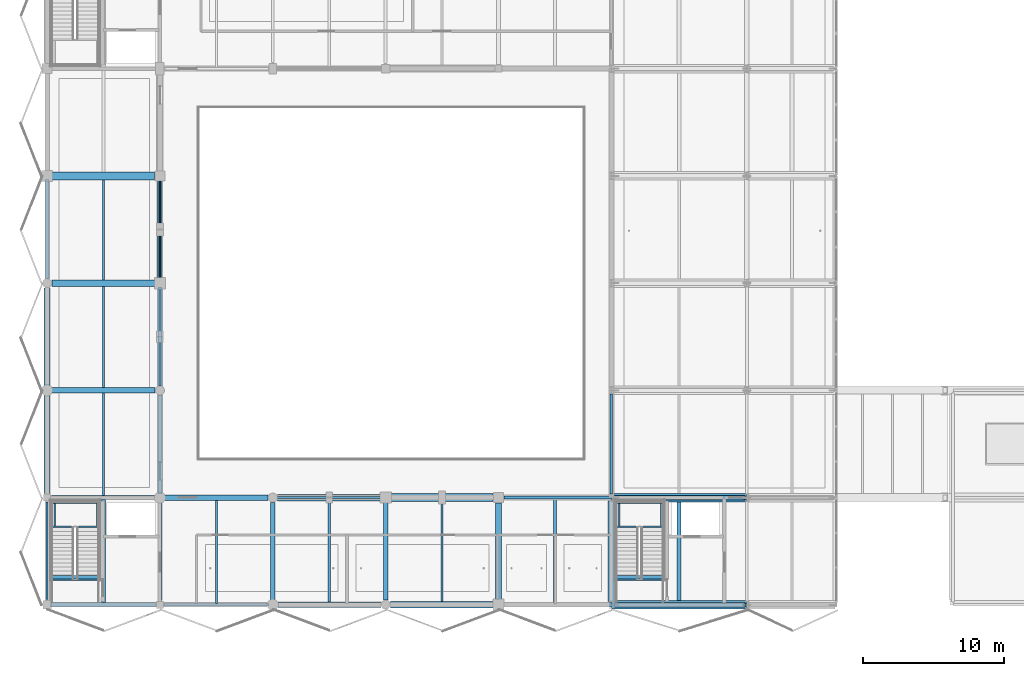
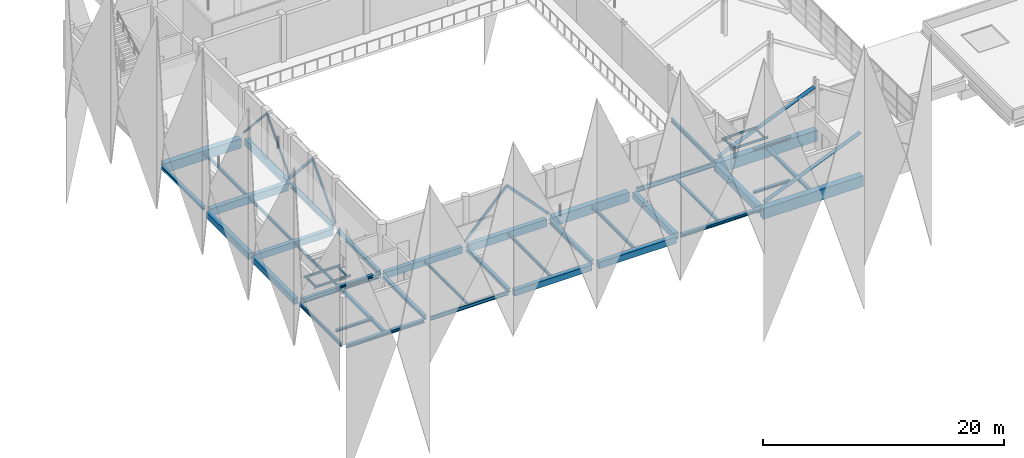
# One storey, part 9 of 107: 49 beams, 8 members.
"""IFC4 building model written with IfcOpenShell, lengths in metres."""

from ifc_helpers import new_model, si_unit, direction, frame, origin, origin_2d, place, context, subcontext, project, spatial, rectangle, hollow_rectangle, hollow_circle, i_section, extrude, material, material_profile, profile_set, type_object, element, save


model = new_model("IFC4")

# Units and contexts
model_context = context("Model", 3, precision=1e-05, world=origin(), true_north=direction((0.0, 1.0)))
body_context = subcontext(model_context, "Body", "Model", "MODEL_VIEW")
ifc_project = project(units=[si_unit("LENGTHUNIT", "METRE"), si_unit("AREAUNIT", "SQUARE_METRE"), si_unit("VOLUMEUNIT", "CUBIC_METRE"), si_unit("PLANEANGLEUNIT", "RADIAN"), si_unit("MASSUNIT", "GRAM", prefix="KILO")], contexts=[model_context])

# Site, building, storey
site_placement = place(None, origin())
site = spatial("IfcSite", under=ifc_project, at=site_placement, CompositionType="ELEMENT")
building_placement = place(site_placement, origin())
building = spatial("IfcBuilding", under=site, at=building_placement, Name="Khelvaren Railside Concert Hall", CompositionType="ELEMENT")
storey_placement = place(building_placement, frame((0.0, 0.0, 15.0)))
storey = spatial("IfcBuildingStorey", under=building, at=storey_placement, Name="L03", CompositionType="ELEMENT", Elevation=15.0)

# Beams
ifc_material_1 = material(Name="Steel S355", Category="steel")
ifc_material_profile_1 = material_profile(ifc_material_1, i_section(OverallWidth=0.300048828125, OverallDepth=0.389892578125, WebThickness=0.010986328125, FlangeThickness=0.01904296875, FilletRadius=0.027099609375, at=origin_2d()), Name="HEA 400")
ifc_profile_set_1 = profile_set([ifc_material_profile_1], Name="Steel S355")
beam_type_1 = type_object("IfcBeamType", Name="BM23", PredefinedType="BEAM", material=ifc_profile_set_1)
for number, where, z_axis, x_axis, name in (
    (1, (8.0, 7.85009765625, -0.47509765625), (0.0, 1.0, 0.0), (-1.0, 0.0, 0.0), "V1 L03 Beam Y2.2"),
    (2, (16.0, 0.25, -0.47509765625), (0.0, 1.0, 0.0), (-1.0, 0.0, 0.0), "V1 L03 Beam Y3.1"),
):
    element("IfcBeam", number, at=place(storey_placement, frame(where, z_axis=z_axis, x_axis=x_axis)), inside=storey, type_object=beam_type_1, Name=name, PredefinedType="BEAM", context=body_context, shape_type="SweptSolid", body=[
        extrude(i_section(OverallWidth=0.300048828125, OverallDepth=0.389892578125, WebThickness=0.010986328125, FlangeThickness=0.01904296875, FilletRadius=0.027099609375, at=origin_2d()), origin(), (0.0, 0.0, 1.0), 7.013916015625),
    ])
ifc_material_profile_2 = material_profile(ifc_material_1, i_section(OverallWidth=0.179931640625, OverallDepth=0.39990234375, WebThickness=0.008544921875, FlangeThickness=0.013427734375, FilletRadius=0.02099609375, at=origin_2d()), Name="IPE 400")
ifc_profile_set_2 = profile_set([ifc_material_profile_2], Name="Steel S355")
beam_type_2 = type_object("IfcBeamType", Name="BM29", PredefinedType="BEAM", material=ifc_profile_set_2)
beam_1_placement = place(storey_placement, frame((40.0, 7.85009765625, -0.47998046875), z_axis=(0.0, 1.0, 0.0), x_axis=(-1.0, 0.0, 0.0)))
element("IfcBeam", 3, at=beam_1_placement, inside=storey, type_object=beam_type_2, Name="V1 L03 Beam Y6.2", PredefinedType="BEAM", context=body_context, shape_type="SweptSolid", body=[
    extrude(i_section(OverallWidth=0.179931640625, OverallDepth=0.39990234375, WebThickness=0.008544921875, FlangeThickness=0.013427734375, FilletRadius=0.02099609375, at=origin_2d()), origin(), (0.0, 0.0, 1.0), 7.099853515625),
])
ifc_material_2 = material(Name="Concrete C40/50", Category="concrete")
ifc_material_profile_3 = material_profile(ifc_material_2, rectangle(XDim=0.39990234375, YDim=0.64990234375, at=origin_2d()), Name="RCB 400x650")
ifc_profile_set_3 = profile_set([ifc_material_profile_3], Name="Concrete C40/50")
beam_type_3 = type_object("IfcBeamType", Name="BM33", PredefinedType="BEAM", material=ifc_profile_set_3)
for number, where, z_axis, x_axis, name in (
    (4, (8.25, 7.60009765625, -0.60498046875), (1.0, 0.0, 0.0), (0.0, 1.0, 0.0), "V1 L03 Beam X2.2"),
    (5, (0.25, 15.199951171875, -0.60498046875), (1.0, 0.0, 0.0), (0.0, 1.0, 0.0), "V1 L03 Beam X3.1"),
):
    element("IfcBeam", number, at=place(storey_placement, frame(where, z_axis=z_axis, x_axis=x_axis)), inside=storey, type_object=beam_type_3, Name=name, PredefinedType="BEAM", context=body_context, shape_type="SweptSolid", body=[
        extrude(rectangle(XDim=0.39990234375, YDim=0.64990234375, at=origin_2d()), origin(), (0.0, 0.0, 1.0), 7.4140625),
    ])
for number, where, z_axis, x_axis, name in (
    (6, (8.0, 23.072998046875, -0.60498046875), (0.0, 1.0, 0.0), (-1.0, 0.0, 0.0), "V1 L03 Beam Y2.4"),
    (7, (32.0, 0.27294921875, -0.60498046875), (0.0, 1.0, 0.0), (-1.0, 0.0, 0.0), "V1 L03 Beam Y5.1"),
):
    element("IfcBeam", number, at=place(storey_placement, frame(where, z_axis=z_axis, x_axis=x_axis)), inside=storey, type_object=beam_type_3, Name=name, PredefinedType="BEAM", context=body_context, shape_type="SweptSolid", body=[
        extrude(rectangle(XDim=0.39990234375, YDim=0.64990234375, at=origin_2d()), origin(), (0.0, 0.0, 1.0), 6.927001953125),
    ])
ifc_material_profile_4 = material_profile(ifc_material_1, i_section(OverallWidth=0.239990234375, OverallDepth=0.22998046875, WebThickness=0.007568359375, FlangeThickness=0.011962890625, FilletRadius=0.02099609375, at=origin_2d()), Name="HEA 240")
ifc_profile_set_4 = profile_set([ifc_material_profile_4], Name="Steel S355")
beam_type_4 = type_object("IfcBeamType", Name="BM42", PredefinedType="BEAM", material=ifc_profile_set_4)
for number, where, z_axis, x_axis, name in (
    (8, (0.344970703125, 1.960693359375, -0.114990234375), (1.0, 0.0, 0.0), (0.0, 1.0, 0.0), "ST-01 L03 Stair Foot Trimmer Beam"),
    (9, (40.344970703125, 1.960693359375, -0.114990234375), (1.0, 0.0, 0.0), (0.0, 1.0, 0.0), "ST-02 L03 Stair Foot Trimmer Beam"),
):
    element("IfcBeam", number, at=place(storey_placement, frame(where, z_axis=z_axis, x_axis=x_axis)), inside=storey, type_object=beam_type_4, Name=name, PredefinedType="BEAM", context=body_context, shape_type="SweptSolid", body=[
        extrude(i_section(OverallWidth=0.239990234375, OverallDepth=0.22998046875, WebThickness=0.007568359375, FlangeThickness=0.011962890625, FilletRadius=0.02099609375, at=origin_2d()), origin(), (0.0, 0.0, 1.0), 3.4951171875),
    ])
ifc_material_profile_5 = material_profile(ifc_material_1, i_section(OverallWidth=0.300048828125, OverallDepth=0.35009765625, WebThickness=0.010009765625, FlangeThickness=0.017578125, FilletRadius=0.027099609375, at=origin_2d()), Name="HEA 360")
ifc_profile_set_5 = profile_set([ifc_material_profile_5], Name="Steel S355")
beam_type_5 = type_object("IfcBeamType", Name="BM73", PredefinedType="BEAM", material=ifc_profile_set_5)
beam_2_placement = place(storey_placement, frame((8.0, 0.300048828125, -0.455078125), z_axis=(0.0, 1.0, 0.0), x_axis=(-1.0, 0.0, 0.0)))
element("IfcBeam", 10, at=beam_2_placement, inside=storey, type_object=beam_type_5, Name="V1 L03 Beam Y2.1", PredefinedType="BEAM", context=body_context, shape_type="SweptSolid", body=[
    extrude(i_section(OverallWidth=0.300048828125, OverallDepth=0.35009765625, WebThickness=0.010009765625, FlangeThickness=0.017578125, FilletRadius=0.027099609375, at=origin_2d()), origin(), (0.0, 0.0, 1.0), 7.050048828125),
])
ifc_material_profile_6 = material_profile(ifc_material_2, rectangle(XDim=0.449951171875, YDim=0.75, at=origin_2d()), Name="RCB 450x750")
ifc_profile_set_6 = profile_set([ifc_material_profile_6], Name="Concrete C40/50")
beam_type_6 = type_object("IfcBeamType", Name="BM83", PredefinedType="BEAM", material=ifc_profile_set_6)
for number, where, z_axis, x_axis, name in (
    (11, (16.3359375, 7.60009765625, -0.655029296875), (1.0, 0.0, 0.0), (0.0, 1.0, 0.0), "V1 L03 Beam X2.3"),
    (12, (0.3359375, 22.800048828125, -0.655029296875), (1.0, 0.0, 0.0), (0.0, 1.0, 0.0), "V1 L03 Beam X4.1"),
):
    element("IfcBeam", number, at=place(storey_placement, frame(where, z_axis=z_axis, x_axis=x_axis)), inside=storey, type_object=beam_type_6, Name=name, PredefinedType="BEAM", context=body_context, shape_type="SweptSolid", body=[
        extrude(rectangle(XDim=0.449951171875, YDim=0.75, at=origin_2d()), origin(), (0.0, 0.0, 1.0), 7.39111328125),
    ])
beam_3_placement = place(storey_placement, frame((40.0, 0.25, -0.655029296875), z_axis=(0.0, 1.0, 0.0), x_axis=(-1.0, 0.0, 0.0)))
element("IfcBeam", 13, at=beam_3_placement, inside=storey, type_object=beam_type_6, Name="V1 L03 Beam Y6.1", PredefinedType="BEAM", context=body_context, shape_type="SweptSolid", body=[
    extrude(rectangle(XDim=0.449951171875, YDim=0.75, at=origin_2d()), origin(), (0.0, 0.0, 1.0), 7.10009765625),
])
ifc_material_profile_7 = material_profile(ifc_material_1, i_section(OverallWidth=0.110107421875, OverallDepth=0.219970703125, WebThickness=0.005859375, FlangeThickness=0.00927734375, FilletRadius=0.011962890625, at=origin_2d()), Name="IPE 220")
ifc_profile_set_7 = profile_set([ifc_material_profile_7], Name="Steel S355")
beam_type_7 = type_object("IfcBeamType", Name="BM87", PredefinedType="BEAM", material=ifc_profile_set_7)
for number, where, z_axis, x_axis, name in (
    (14, (0.344970703125, 5.544921875, 2.090087890625), (1.0, 0.0, 0.0), (0.0, 1.0, 0.0), "ST-01 L03 Half-Landing Front Beam"),
    (15, (0.344970703125, 7.239990234375, 2.090087890625), (1.0, 0.0, 0.0), (0.0, 1.0, 0.0), "ST-01 L03 Half-Landing Rear Beam"),
):
    element("IfcBeam", number, at=place(storey_placement, frame(where, z_axis=z_axis, x_axis=x_axis)), inside=storey, type_object=beam_type_7, Name=name, PredefinedType="BEAM", context=body_context, shape_type="SweptSolid", body=[
        extrude(i_section(OverallWidth=0.110107421875, OverallDepth=0.219970703125, WebThickness=0.005859375, FlangeThickness=0.00927734375, FilletRadius=0.011962890625, at=origin_2d()), origin(), (0.0, 0.0, 1.0), 3.4951171875),
    ])
for number, where, z_axis, x_axis, name in (
    (16, (0.550048828125, 5.60009765625, 2.090087890625), (0.0, 1.0, 0.0), (-1.0, 0.0, 0.0), "ST-01 L03 Half-Landing Side Tie W"),
    (17, (3.550048828125, 5.60009765625, 2.090087890625), (0.0, 1.0, 0.0), (-1.0, 0.0, 0.0), "ST-01 L03 Half-Landing Side Tie E"),
):
    element("IfcBeam", number, at=place(storey_placement, frame(where, z_axis=z_axis, x_axis=x_axis)), inside=storey, type_object=beam_type_7, Name=name, PredefinedType="BEAM", context=body_context, shape_type="SweptSolid", body=[
        extrude(i_section(OverallWidth=0.110107421875, OverallDepth=0.219970703125, WebThickness=0.005859375, FlangeThickness=0.00927734375, FilletRadius=0.011962890625, at=origin_2d()), origin(), (0.0, 0.0, 1.0), 1.5849609375),
    ])
for number, where, z_axis, x_axis, name in (
    (18, (40.344970703125, 5.544921875, 2.090087890625), (1.0, 0.0, 0.0), (0.0, 1.0, 0.0), "ST-02 L03 Half-Landing Front Beam"),
    (19, (40.344970703125, 7.239990234375, 2.090087890625), (1.0, 0.0, 0.0), (0.0, 1.0, 0.0), "ST-02 L03 Half-Landing Rear Beam"),
):
    element("IfcBeam", number, at=place(storey_placement, frame(where, z_axis=z_axis, x_axis=x_axis)), inside=storey, type_object=beam_type_7, Name=name, PredefinedType="BEAM", context=body_context, shape_type="SweptSolid", body=[
        extrude(i_section(OverallWidth=0.110107421875, OverallDepth=0.219970703125, WebThickness=0.005859375, FlangeThickness=0.00927734375, FilletRadius=0.011962890625, at=origin_2d()), origin(), (0.0, 0.0, 1.0), 3.4951171875),
    ])
for number, where, z_axis, x_axis, name in (
    (20, (40.550048828125, 5.60009765625, 2.090087890625), (0.0, 1.0, 0.0), (-1.0, 0.0, 0.0), "ST-02 L03 Half-Landing Side Tie W"),
    (21, (43.550048828125, 5.60009765625, 2.090087890625), (0.0, 1.0, 0.0), (-1.0, 0.0, 0.0), "ST-02 L03 Half-Landing Side Tie E"),
):
    element("IfcBeam", number, at=place(storey_placement, frame(where, z_axis=z_axis, x_axis=x_axis)), inside=storey, type_object=beam_type_7, Name=name, PredefinedType="BEAM", context=body_context, shape_type="SweptSolid", body=[
        extrude(i_section(OverallWidth=0.110107421875, OverallDepth=0.219970703125, WebThickness=0.005859375, FlangeThickness=0.00927734375, FilletRadius=0.011962890625, at=origin_2d()), origin(), (0.0, 0.0, 1.0), 1.5849609375),
    ])
ifc_material_profile_8 = material_profile(ifc_material_1, i_section(OverallWidth=0.300048828125, OverallDepth=0.43994140625, WebThickness=0.011474609375, FlangeThickness=0.02099609375, FilletRadius=0.027099609375, at=origin_2d()), Name="HEA 450")
ifc_profile_set_8 = profile_set([ifc_material_profile_8], Name="Steel S355")
beam_type_8 = type_object("IfcBeamType", Name="BM89", PredefinedType="BEAM", material=ifc_profile_set_8)
beam_4_placement = place(storey_placement, frame((0.300048828125, 7.60009765625, -0.5), z_axis=(1.0, 0.0, 0.0), x_axis=(0.0, 1.0, 0.0)))
element("IfcBeam", 22, at=beam_4_placement, inside=storey, type_object=beam_type_8, Name="V1 L03 Beam X2.1", PredefinedType="BEAM", context=body_context, shape_type="SweptSolid", body=[
    extrude(i_section(OverallWidth=0.300048828125, OverallDepth=0.43994140625, WebThickness=0.011474609375, FlangeThickness=0.02099609375, FilletRadius=0.027099609375, at=origin_2d()), origin(), (0.0, 0.0, 1.0), 7.449951171875),
])
beam_5_placement = place(storey_placement, frame((8.0, 15.535888671875, -0.5), z_axis=(0.0, 1.0, 0.0), x_axis=(-1.0, 0.0, 0.0)))
element("IfcBeam", 23, at=beam_5_placement, inside=storey, type_object=beam_type_8, Name="V1 L03 Beam Y2.3", PredefinedType="BEAM", context=body_context, shape_type="SweptSolid", body=[
    extrude(i_section(OverallWidth=0.300048828125, OverallDepth=0.43994140625, WebThickness=0.011474609375, FlangeThickness=0.02099609375, FilletRadius=0.027099609375, at=origin_2d()), origin(), (0.0, 0.0, 1.0), 6.9912109375),
])
beam_6_placement = place(storey_placement, frame((24.0, 0.3359375, -0.5), z_axis=(0.0, 1.0, 0.0), x_axis=(-1.0, 0.0, 0.0)))
element("IfcBeam", 24, at=beam_6_placement, inside=storey, type_object=beam_type_8, Name="V1 L03 Beam Y4.1", PredefinedType="BEAM", context=body_context, shape_type="SweptSolid", body=[
    extrude(i_section(OverallWidth=0.300048828125, OverallDepth=0.43994140625, WebThickness=0.011474609375, FlangeThickness=0.02099609375, FilletRadius=0.027099609375, at=origin_2d()), origin(), (0.0, 0.0, 1.0), 6.990966796875),
])
ifc_material_profile_9 = material_profile(ifc_material_1, i_section(OverallWidth=0.280029296875, OverallDepth=0.27001953125, WebThickness=0.008056640625, FlangeThickness=0.012939453125, FilletRadius=0.02392578125, at=origin_2d()), Name="HEA 280")
ifc_profile_set_9 = profile_set([ifc_material_profile_9], Name="Steel S355")
beam_type_9 = type_object("IfcBeamType", Name="BM93", PredefinedType="BEAM", material=ifc_profile_set_9)
for number, where, z_axis, x_axis, name in (
    (25, (0.344970703125, 1.860107421875, 4.317626953125), (1.0, 0.0, 0.0), (0.0, 1.0, 0.0), "ST-01 L03 Stair Top Arrival Trimmer Beam"),
    (26, (40.344970703125, 1.860107421875, 4.317626953125), (1.0, 0.0, 0.0), (0.0, 1.0, 0.0), "ST-02 L03 Stair Top Arrival Trimmer Beam"),
):
    element("IfcBeam", number, at=place(storey_placement, frame(where, z_axis=z_axis, x_axis=x_axis)), inside=storey, type_object=beam_type_9, Name=name, PredefinedType="BEAM", context=body_context, shape_type="SweptSolid", body=[
        extrude(i_section(OverallWidth=0.280029296875, OverallDepth=0.27001953125, WebThickness=0.008056640625, FlangeThickness=0.012939453125, FilletRadius=0.02392578125, at=origin_2d()), origin(), (0.0, 0.0, 1.0), 3.4951171875),
    ])
ifc_material_profile_10 = material_profile(ifc_material_1, i_section(OverallWidth=0.18994140625, OverallDepth=0.449951171875, WebThickness=0.009521484375, FlangeThickness=0.0146484375, FilletRadius=0.02099609375, at=origin_2d()), Name="IPE 450")
ifc_profile_set_10 = profile_set([ifc_material_profile_10], Name="Steel S355")
beam_type_10 = type_object("IfcBeamType", Name="BM95", PredefinedType="BEAM", material=ifc_profile_set_10)
beam_7_placement = place(storey_placement, frame((32.39990234375, 7.60009765625, -0.5048828125), z_axis=(1.0, 0.0, 0.0), x_axis=(0.0, 1.0, 0.0)))
element("IfcBeam", 27, at=beam_7_placement, inside=storey, type_object=beam_type_10, Name="V1 L03 Beam X2.5", PredefinedType="BEAM", context=body_context, shape_type="SweptSolid", body=[
    extrude(i_section(OverallWidth=0.18994140625, OverallDepth=0.449951171875, WebThickness=0.009521484375, FlangeThickness=0.0146484375, FilletRadius=0.02099609375, at=origin_2d()), origin(), (0.0, 0.0, 1.0), 7.590087890625),
])

# Members
ifc_material_profile_11 = material_profile(ifc_material_1, hollow_circle(Radius=0.109619140625, WallThickness=0.012451171875, at=origin_2d()), Name="CHS 219.1x12.5")
ifc_profile_set_11 = profile_set([ifc_material_profile_11], Name="Steel S355")
member_type_1 = type_object("IfcMemberType", Name="BR37", PredefinedType="BRACE", material=ifc_profile_set_11)
member_1_placement = place(storey_placement, frame((8.0, 22.800048828125, 0.050048828125), z_axis=(0.0, 0.668290773054, 0.743900156372), x_axis=(-1.0, 0.0, 0.0)))
element("IfcMember", 28, at=member_1_placement, inside=storey, type_object=member_type_1, Name="V1 L03 Seismic Chevron Brace 17", PredefinedType="BRACE", context=body_context, shape_type="SweptSolid", body=[
    extrude(hollow_circle(Radius=0.109619140625, WallThickness=0.012451171875, at=origin_2d()), origin(), (0.0, 0.0, 1.0), 5.686279296875),
])
member_2_placement = place(storey_placement, frame((8.0, 30.39990234375, 0.050048828125), z_axis=(0.0, -0.668267012075, 0.74392150162), x_axis=(1.0, 0.0, 0.0)))
element("IfcMember", 29, at=member_2_placement, inside=storey, type_object=member_type_1, Name="V1 L03 Seismic Chevron Brace 18", PredefinedType="BRACE", context=body_context, shape_type="SweptSolid", body=[
    extrude(hollow_circle(Radius=0.109619140625, WallThickness=0.012451171875, at=origin_2d()), origin(), (0.0, 0.0, 1.0), 5.68603515625),
])
ifc_material_profile_12 = material_profile(ifc_material_1, hollow_rectangle(XDim=0.14990234375, YDim=0.25, WallThickness=0.012451171875, InnerFilletRadius=0.012451171875, OuterFilletRadius=0.01904296875, at=origin_2d()), Name="RHS 250x150x12.5")
ifc_profile_set_12 = profile_set([ifc_material_profile_12], Name="Steel S355")
member_type_2 = type_object("IfcMemberType", Name="BR52", PredefinedType="BRACE", material=ifc_profile_set_12)
for number, where, z_axis, x_axis, name in (
    (30, (8.0, 15.199951171875, 0.050048828125), (0.0, 0.668290773054, 0.743900156372), (-1.0, 0.0, 0.0), "V1 L03 Seismic Chevron Brace 7"),
    (31, (8.0, 22.800048828125, 0.050048828125), (0.0, -0.668290773054, 0.743900156372), (1.0, 0.0, 0.0), "V1 L03 Seismic Chevron Brace 8"),
):
    element("IfcMember", number, at=place(storey_placement, frame(where, z_axis=z_axis, x_axis=x_axis)), inside=storey, type_object=member_type_2, Name=name, PredefinedType="BRACE", context=body_context, shape_type="SweptSolid", body=[
        extrude(hollow_rectangle(XDim=0.14990234375, YDim=0.25, WallThickness=0.012451171875, InnerFilletRadius=0.012451171875, OuterFilletRadius=0.01904296875, at=origin_2d()), origin(), (0.0, 0.0, 1.0), 5.686279296875),
    ])
for number, where, z_axis, x_axis, name in (
    (32, (16.0, 7.60009765625, 0.050048828125), (0.687079015736, 0.0, 0.726582704263), (0.0, 1.0, 0.0), "V1 L03 Seismic Chevron Brace 27"),
    (33, (24.0, 7.60009765625, 0.050048828125), (-0.687079015736, 0.0, 0.726582704263), (0.0, -1.0, 0.0), "V1 L03 Seismic Chevron Brace 28"),
):
    element("IfcMember", number, at=place(storey_placement, frame(where, z_axis=z_axis, x_axis=x_axis)), inside=storey, type_object=member_type_2, Name=name, PredefinedType="BRACE", context=body_context, shape_type="SweptSolid", body=[
        extrude(hollow_rectangle(XDim=0.14990234375, YDim=0.25, WallThickness=0.012451171875, InnerFilletRadius=0.012451171875, OuterFilletRadius=0.01904296875, at=origin_2d()), origin(), (0.0, 0.0, 1.0), 5.82177734375),
    ])
ifc_material_profile_13 = material_profile(ifc_material_1, hollow_circle(Radius=0.161865234375, WallThickness=0.01611328125, at=origin_2d()), Name="CHS 323.9x16")
ifc_profile_set_13 = profile_set([ifc_material_profile_13], Name="Steel S355")
member_type_3 = type_object("IfcMemberType", Name="BR78", PredefinedType="BRACE", material=ifc_profile_set_13)
for number, where, z_axis, x_axis, name in (
    (34, (40.25, 0.0, 0.14990234375), (0.923192127953, 0.0, 0.384338776194), (0.0, 1.0, 0.0), "V1 L03 Plaza Cantilever Truss Backspan Diagonal 1B"),
    (35, (40.25, 7.60009765625, 0.14990234375), (0.923192127953, 0.0, 0.384338776194), (0.0, 1.0, 0.0), "V1 L03 Plaza Cantilever Truss Backspan Diagonal 2B"),
):
    element("IfcMember", number, at=place(storey_placement, frame(where, z_axis=z_axis, x_axis=x_axis)), inside=storey, type_object=member_type_3, Name=name, PredefinedType="BRACE", context=body_context, shape_type="SweptSolid", body=[
        extrude(hollow_circle(Radius=0.161865234375, WallThickness=0.01611328125, at=origin_2d()), origin(), (0.0, 0.0, 1.0), 9.96533203125),
    ])

# Beams
ifc_material_profile_14 = material_profile(ifc_material_2, rectangle(XDim=0.60009765625, YDim=1.10009765625, at=origin_2d()), Name="RCB 600x1100")
ifc_profile_set_14 = profile_set([ifc_material_profile_14], Name="Concrete C40/50")
beam_type_11 = type_object("IfcBeamType", Name="GR15", PredefinedType="T_BEAM", material=ifc_profile_set_14)
for number, where, z_axis, x_axis, name in (
    (36, (40.010009765625, 0.0, -0.830078125), (1.0, 0.0, 0.0), (0.0, 1.0, 0.0), "V1 L03 Cantilever Backspan Girder 1"),
    (37, (40.010009765625, 7.60009765625, -0.830078125), (1.0, 0.0, 0.0), (0.0, 1.0, 0.0), "V1 L03 Cantilever Backspan Girder 2"),
):
    element("IfcBeam", number, at=place(storey_placement, frame(where, z_axis=z_axis, x_axis=x_axis)), inside=storey, type_object=beam_type_11, Name=name, PredefinedType="T_BEAM", context=body_context, shape_type="SweptSolid", body=[
        extrude(rectangle(XDim=0.60009765625, YDim=1.10009765625, at=origin_2d()), origin(), (0.0, 0.0, 1.0), 9.580078125),
    ])
ifc_material_profile_15 = material_profile(ifc_material_2, rectangle(XDim=0.550048828125, YDim=0.949951171875, at=origin_2d()), Name="RCB 550x950")
ifc_profile_set_15 = profile_set([ifc_material_profile_15], Name="Concrete C40/50")
beam_type_12 = type_object("IfcBeamType", Name="GR57", PredefinedType="T_BEAM", material=ifc_profile_set_15)
for number, where, z_axis, x_axis, name in (
    (38, (24.27294921875, 7.60009765625, -0.7548828125), (1.0, 0.0, 0.0), (0.0, 1.0, 0.0), "V1 L03 T_Beam X2.4"),
    (39, (0.27294921875, 30.39990234375, -0.7548828125), (1.0, 0.0, 0.0), (0.0, 1.0, 0.0), "V1 L03 T_Beam X5.1"),
):
    element("IfcBeam", number, at=place(storey_placement, frame(where, z_axis=z_axis, x_axis=x_axis)), inside=storey, type_object=beam_type_12, Name=name, PredefinedType="T_BEAM", context=body_context, shape_type="SweptSolid", body=[
        extrude(rectangle(XDim=0.550048828125, YDim=0.949951171875, at=origin_2d()), origin(), (0.0, 0.0, 1.0), 7.3271484375),
    ])
ifc_material_profile_16 = material_profile(ifc_material_1, i_section(OverallWidth=0.14990234375, OverallDepth=0.300048828125, WebThickness=0.007080078125, FlangeThickness=0.0107421875, FilletRadius=0.014892578125, at=origin_2d()), Name="IPE 300")
ifc_profile_set_16 = profile_set([ifc_material_profile_16], Name="Steel S355")
beam_type_13 = type_object("IfcBeamType", Name="JS26", PredefinedType="JOIST", material=ifc_profile_set_16)
for number, where, z_axis, x_axis, name in (
    (40, (4.0, 15.39990234375, -0.429931640625), (0.0, 1.0, 0.0), (-1.0, 0.0, 0.0), "V1 L03 Secondary Joist 1.3"),
    (41, (20.0, 0.199951171875, -0.429931640625), (0.0, 1.0, 0.0), (-1.0, 0.0, 0.0), "V1 L03 Secondary Joist 3.1"),
):
    element("IfcBeam", number, at=place(storey_placement, frame(where, z_axis=z_axis, x_axis=x_axis)), inside=storey, type_object=beam_type_13, Name=name, PredefinedType="JOIST", context=body_context, shape_type="SweptSolid", body=[
        extrude(i_section(OverallWidth=0.14990234375, OverallDepth=0.300048828125, WebThickness=0.007080078125, FlangeThickness=0.0107421875, FilletRadius=0.014892578125, at=origin_2d()), origin(), (0.0, 0.0, 1.0), 7.175048828125),
    ])
ifc_material_profile_17 = material_profile(ifc_material_1, i_section(OverallWidth=0.280029296875, OverallDepth=0.27001953125, WebThickness=0.008056640625, FlangeThickness=0.012939453125, FilletRadius=0.02392578125, at=origin_2d()), Name="HEA 280")
ifc_profile_set_17 = profile_set([ifc_material_profile_17], Name="Steel S355")
beam_type_14 = type_object("IfcBeamType", Name="JS46", PredefinedType="JOIST", material=ifc_profile_set_17)
beam_8_placement = place(storey_placement, frame((4.0, 0.14990234375, -0.4150390625), z_axis=(0.0, 1.0, 0.0), x_axis=(-1.0, 0.0, 0.0)))
element("IfcBeam", 42, at=beam_8_placement, inside=storey, type_object=beam_type_14, Name="V1 L03 Secondary Joist 1.1", PredefinedType="JOIST", context=body_context, shape_type="SweptSolid", body=[
    extrude(i_section(OverallWidth=0.280029296875, OverallDepth=0.27001953125, WebThickness=0.008056640625, FlangeThickness=0.012939453125, FilletRadius=0.02392578125, at=origin_2d()), origin(), (0.0, 0.0, 1.0), 7.300048828125),
])
beam_9_placement = place(storey_placement, frame((44.800048828125, 0.300048828125, -0.4150390625), z_axis=(0.0, 1.0, 0.0), x_axis=(-1.0, 0.0, 0.0)))
element("IfcBeam", 43, at=beam_9_placement, inside=storey, type_object=beam_type_14, Name="V1 L03 Secondary Joist 6.1", PredefinedType="JOIST", context=body_context, shape_type="SweptSolid", body=[
    extrude(i_section(OverallWidth=0.280029296875, OverallDepth=0.27001953125, WebThickness=0.008056640625, FlangeThickness=0.012939453125, FilletRadius=0.02392578125, at=origin_2d()), origin(), (0.0, 0.0, 1.0), 7.0),
])
ifc_material_profile_18 = material_profile(ifc_material_1, i_section(OverallWidth=0.159912109375, OverallDepth=0.330078125, WebThickness=0.007568359375, FlangeThickness=0.011474609375, FilletRadius=0.01806640625, at=origin_2d()), Name="IPE 330")
ifc_profile_set_18 = profile_set([ifc_material_profile_18], Name="Steel S355")
beam_type_15 = type_object("IfcBeamType", Name="JS65", PredefinedType="JOIST", material=ifc_profile_set_18)
beam_10_placement = place(storey_placement, frame((4.0, 23.02490234375, -0.445068359375), z_axis=(0.0, 1.0, 0.0), x_axis=(-1.0, 0.0, 0.0)))
element("IfcBeam", 44, at=beam_10_placement, inside=storey, type_object=beam_type_15, Name="V1 L03 Secondary Joist 1.4", PredefinedType="JOIST", context=body_context, shape_type="SweptSolid", body=[
    extrude(i_section(OverallWidth=0.159912109375, OverallDepth=0.330078125, WebThickness=0.007568359375, FlangeThickness=0.011474609375, FilletRadius=0.01806640625, at=origin_2d()), origin(), (0.0, 0.0, 1.0), 7.10009765625),
])
beam_11_placement = place(storey_placement, frame((28.0, 0.22509765625, -0.445068359375), z_axis=(0.0, 1.0, 0.0), x_axis=(-1.0, 0.0, 0.0)))
element("IfcBeam", 45, at=beam_11_placement, inside=storey, type_object=beam_type_15, Name="V1 L03 Secondary Joist 4.1", PredefinedType="JOIST", context=body_context, shape_type="SweptSolid", body=[
    extrude(i_section(OverallWidth=0.159912109375, OverallDepth=0.330078125, WebThickness=0.007568359375, FlangeThickness=0.011474609375, FilletRadius=0.01806640625, at=origin_2d()), origin(), (0.0, 0.0, 1.0), 7.099853515625),
])
ifc_material_profile_19 = material_profile(ifc_material_1, i_section(OverallWidth=0.239990234375, OverallDepth=0.22998046875, WebThickness=0.007568359375, FlangeThickness=0.011962890625, FilletRadius=0.02099609375, at=origin_2d()), Name="HEA 240")
ifc_profile_set_19 = profile_set([ifc_material_profile_19], Name="Steel S355")
beam_type_16 = type_object("IfcBeamType", Name="JS76", PredefinedType="JOIST", material=ifc_profile_set_19)
beam_12_placement = place(storey_placement, frame((36.0, 0.14990234375, -0.39501953125), z_axis=(0.0, 1.0, 0.0), x_axis=(-1.0, 0.0, 0.0)))
element("IfcBeam", 46, at=beam_12_placement, inside=storey, type_object=beam_type_16, Name="V1 L03 Secondary Joist 5.1", PredefinedType="JOIST", context=body_context, shape_type="SweptSolid", body=[
    extrude(i_section(OverallWidth=0.239990234375, OverallDepth=0.22998046875, WebThickness=0.007568359375, FlangeThickness=0.011962890625, FilletRadius=0.02099609375, at=origin_2d()), origin(), (0.0, 0.0, 1.0), 7.35498046875),
])
ifc_material_profile_20 = material_profile(ifc_material_1, i_section(OverallWidth=0.135009765625, OverallDepth=0.27001953125, WebThickness=0.006591796875, FlangeThickness=0.01025390625, FilletRadius=0.014892578125, at=origin_2d()), Name="IPE 270")
ifc_profile_set_20 = profile_set([ifc_material_profile_20], Name="Steel S355")
beam_type_17 = type_object("IfcBeamType", Name="JS78", PredefinedType="JOIST", material=ifc_profile_set_20)
beam_13_placement = place(storey_placement, frame((4.0, 7.75, -0.4150390625), z_axis=(0.0, 1.0, 0.0), x_axis=(-1.0, 0.0, 0.0)))
element("IfcBeam", 47, at=beam_13_placement, inside=storey, type_object=beam_type_17, Name="V1 L03 Secondary Joist 1.2", PredefinedType="JOIST", context=body_context, shape_type="SweptSolid", body=[
    extrude(i_section(OverallWidth=0.135009765625, OverallDepth=0.27001953125, WebThickness=0.006591796875, FlangeThickness=0.01025390625, FilletRadius=0.014892578125, at=origin_2d()), origin(), (0.0, 0.0, 1.0), 7.25),
])
beam_14_placement = place(storey_placement, frame((12.0, 0.0849609375, -0.4150390625), z_axis=(0.0, 1.0, 0.0), x_axis=(-1.0, 0.0, 0.0)))
element("IfcBeam", 48, at=beam_14_placement, inside=storey, type_object=beam_type_17, Name="V1 L03 Secondary Joist 2.1", PredefinedType="JOIST", context=body_context, shape_type="SweptSolid", body=[
    extrude(i_section(OverallWidth=0.135009765625, OverallDepth=0.27001953125, WebThickness=0.006591796875, FlangeThickness=0.01025390625, FilletRadius=0.014892578125, at=origin_2d()), origin(), (0.0, 0.0, 1.0), 7.31494140625),
])
ifc_material_profile_21 = material_profile(ifc_material_2, rectangle(XDim=0.449951171875, YDim=0.64990234375, at=origin_2d()), Name="RCB 450x650")
ifc_profile_set_21 = profile_set([ifc_material_profile_21], Name="Concrete C40/50")
beam_type_18 = type_object("IfcBeamType", Name="SP34", PredefinedType="SPANDREL", material=ifc_profile_set_21)
beam_15_placement = place(storey_placement, frame((24.3359375, 0.0, -0.60498046875), z_axis=(1.0, 0.0, 0.0), x_axis=(0.0, 1.0, 0.0)))
element("IfcBeam", 49, at=beam_15_placement, inside=storey, type_object=beam_type_18, Name="V1 L03 Spandrel X1.4", PredefinedType="SPANDREL", context=body_context, shape_type="SweptSolid", body=[
    extrude(rectangle(XDim=0.449951171875, YDim=0.64990234375, at=origin_2d()), origin(), (0.0, 0.0, 1.0), 7.39111328125),
])
beam_16_placement = place(storey_placement, frame((0.0, 15.449951171875, -0.60498046875), z_axis=(0.0, 1.0, 0.0), x_axis=(-1.0, 0.0, 0.0)))
element("IfcBeam", 50, at=beam_16_placement, inside=storey, type_object=beam_type_18, Name="V1 L03 Spandrel Y1.3", PredefinedType="SPANDREL", context=body_context, shape_type="SweptSolid", body=[
    extrude(rectangle(XDim=0.449951171875, YDim=0.64990234375, at=origin_2d()), origin(), (0.0, 0.0, 1.0), 7.01416015625),
])
ifc_material_profile_22 = material_profile(ifc_material_1, i_section(OverallWidth=0.300048828125, OverallDepth=0.31005859375, WebThickness=0.009033203125, FlangeThickness=0.015380859375, FilletRadius=0.027099609375, at=origin_2d()), Name="HEA 320")
ifc_profile_set_22 = profile_set([ifc_material_profile_22], Name="Steel S355")
beam_type_19 = type_object("IfcBeamType", Name="SP66", PredefinedType="SPANDREL", material=ifc_profile_set_22)
beam_17_placement = place(storey_placement, frame((0.25, 0.0, -0.43505859375), z_axis=(1.0, 0.0, 0.0), x_axis=(0.0, 1.0, 0.0)))
element("IfcBeam", 51, at=beam_17_placement, inside=storey, type_object=beam_type_19, Name="V1 L03 Spandrel X1.1", PredefinedType="SPANDREL", context=body_context, shape_type="SweptSolid", body=[
    extrude(i_section(OverallWidth=0.300048828125, OverallDepth=0.31005859375, WebThickness=0.009033203125, FlangeThickness=0.015380859375, FilletRadius=0.027099609375, at=origin_2d()), origin(), (0.0, 0.0, 1.0), 7.449951171875),
])
beam_18_placement = place(storey_placement, frame((32.27294921875, 0.0, -0.43505859375), z_axis=(1.0, 0.0, 0.0), x_axis=(0.0, 1.0, 0.0)))
element("IfcBeam", 52, at=beam_18_placement, inside=storey, type_object=beam_type_19, Name="V1 L03 Spandrel X1.5", PredefinedType="SPANDREL", context=body_context, shape_type="SweptSolid", body=[
    extrude(i_section(OverallWidth=0.300048828125, OverallDepth=0.31005859375, WebThickness=0.009033203125, FlangeThickness=0.015380859375, FilletRadius=0.027099609375, at=origin_2d()), origin(), (0.0, 0.0, 1.0), 7.717041015625),
])
beam_19_placement = place(storey_placement, frame((0.0, 23.135986328125, -0.43505859375), z_axis=(0.0, 1.0, 0.0), x_axis=(-1.0, 0.0, 0.0)))
element("IfcBeam", 53, at=beam_19_placement, inside=storey, type_object=beam_type_19, Name="V1 L03 Spandrel Y1.4", PredefinedType="SPANDREL", context=body_context, shape_type="SweptSolid", body=[
    extrude(i_section(OverallWidth=0.300048828125, OverallDepth=0.31005859375, WebThickness=0.009033203125, FlangeThickness=0.015380859375, FilletRadius=0.027099609375, at=origin_2d()), origin(), (0.0, 0.0, 1.0), 6.990966796875),
])
ifc_material_profile_23 = material_profile(ifc_material_1, i_section(OverallWidth=0.169921875, OverallDepth=0.360107421875, WebThickness=0.008056640625, FlangeThickness=0.0126953125, FilletRadius=0.01806640625, at=origin_2d()), Name="IPE 360")
ifc_profile_set_23 = profile_set([ifc_material_profile_23], Name="Steel S355")
beam_type_20 = type_object("IfcBeamType", Name="SP74", PredefinedType="SPANDREL", material=ifc_profile_set_23)
beam_20_placement = place(storey_placement, frame((8.300048828125, 0.0, -0.4599609375), z_axis=(1.0, 0.0, 0.0), x_axis=(0.0, 1.0, 0.0)))
element("IfcBeam", 54, at=beam_20_placement, inside=storey, type_object=beam_type_20, Name="V1 L03 Spandrel X1.2", PredefinedType="SPANDREL", context=body_context, shape_type="SweptSolid", body=[
    extrude(i_section(OverallWidth=0.169921875, OverallDepth=0.360107421875, WebThickness=0.008056640625, FlangeThickness=0.0126953125, FilletRadius=0.01806640625, at=origin_2d()), origin(), (0.0, 0.0, 1.0), 7.449951171875),
])
beam_21_placement = place(storey_placement, frame((0.0, 0.375, -0.4599609375), z_axis=(0.0, 1.0, 0.0), x_axis=(-1.0, 0.0, 0.0)))
element("IfcBeam", 55, at=beam_21_placement, inside=storey, type_object=beam_type_20, Name="V1 L03 Spandrel Y1.1", PredefinedType="SPANDREL", context=body_context, shape_type="SweptSolid", body=[
    extrude(i_section(OverallWidth=0.169921875, OverallDepth=0.360107421875, WebThickness=0.008056640625, FlangeThickness=0.0126953125, FilletRadius=0.01806640625, at=origin_2d()), origin(), (0.0, 0.0, 1.0), 6.925048828125),
])
ifc_material_profile_24 = material_profile(ifc_material_2, rectangle(XDim=0.39990234375, YDim=0.60009765625, at=origin_2d()), Name="RCB 400x600")
ifc_profile_set_24 = profile_set([ifc_material_profile_24], Name="Concrete C40/50")
beam_type_21 = type_object("IfcBeamType", Name="SP75", PredefinedType="SPANDREL", material=ifc_profile_set_24)
beam_22_placement = place(storey_placement, frame((16.25, 0.0, -0.580078125), z_axis=(1.0, 0.0, 0.0), x_axis=(0.0, 1.0, 0.0)))
element("IfcBeam", 56, at=beam_22_placement, inside=storey, type_object=beam_type_21, Name="V1 L03 Spandrel X1.3", PredefinedType="SPANDREL", context=body_context, shape_type="SweptSolid", body=[
    extrude(rectangle(XDim=0.39990234375, YDim=0.60009765625, at=origin_2d()), origin(), (0.0, 0.0, 1.0), 7.4140625),
])
beam_23_placement = place(storey_placement, frame((0.0, 7.89990234375, -0.580078125), z_axis=(0.0, 1.0, 0.0), x_axis=(-1.0, 0.0, 0.0)))
element("IfcBeam", 57, at=beam_23_placement, inside=storey, type_object=beam_type_21, Name="V1 L03 Spandrel Y1.2", PredefinedType="SPANDREL", context=body_context, shape_type="SweptSolid", body=[
    extrude(rectangle(XDim=0.39990234375, YDim=0.60009765625, at=origin_2d()), origin(), (0.0, 0.0, 1.0), 7.050048828125),
])

save(model, "model.ifc")
